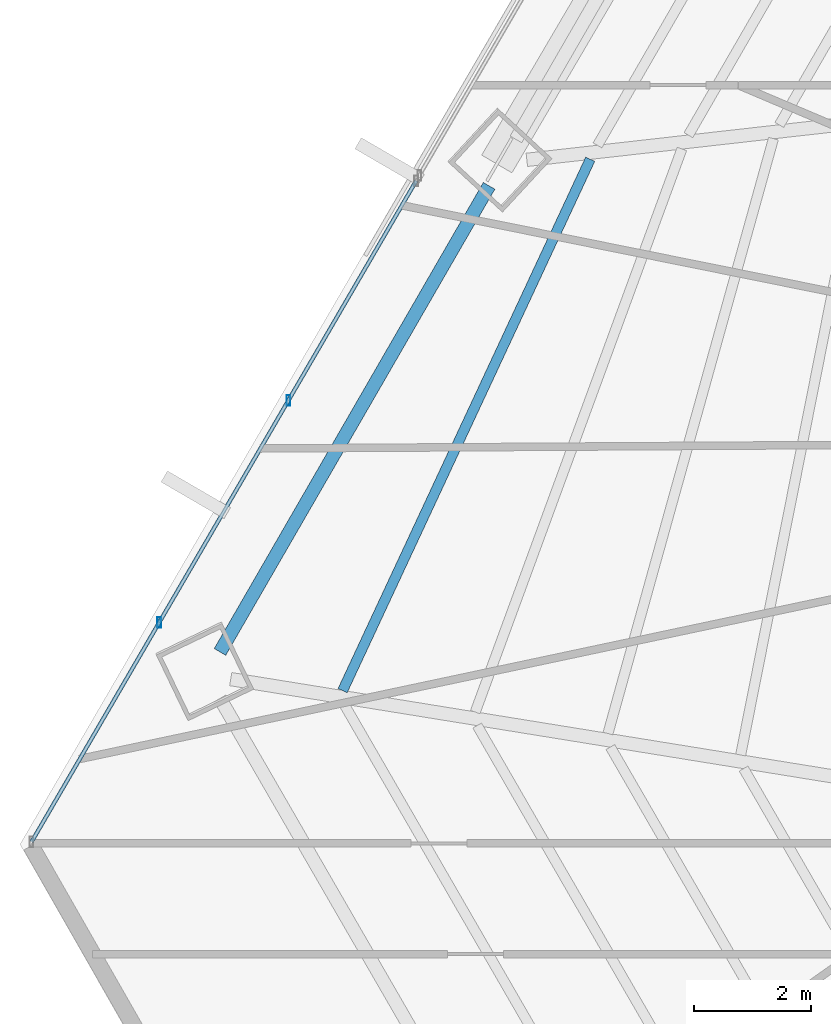
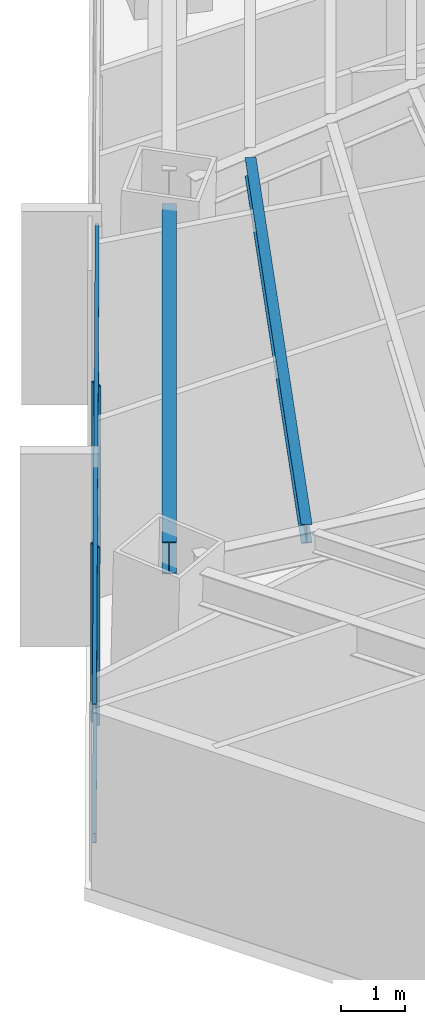
# One storey, part 11 of 38: 4 members, 2 beams, 1 element without a shape of its own.
"""IFC4 building model written with IfcOpenShell, lengths in metres."""

from ifc_helpers import new_model, si_unit, direction, frame, origin, origin_2d, place, context, subcontext, project, spatial, hollow_rectangle, i_section, extrude, source, transform, mapped, material, material_profile, profile_set, type_object, type_shapes, element, aggregate, save


model = new_model("IFC4")

# Units and contexts
model_context = context("Model", 3, precision=1e-05, world=origin(), true_north=direction((0.0, 1.0)))
body_context = subcontext(model_context, "Body", "Model", "MODEL_VIEW")
ifc_project = project(units=[si_unit("LENGTHUNIT", "METRE"), si_unit("AREAUNIT", "SQUARE_METRE"), si_unit("VOLUMEUNIT", "CUBIC_METRE"), si_unit("PLANEANGLEUNIT", "RADIAN"), si_unit("MASSUNIT", "GRAM", prefix="KILO")], contexts=[model_context])

# Site, building, storey
site_placement = place(None, origin())
site = spatial("IfcSite", under=ifc_project, at=site_placement, CompositionType="ELEMENT")
building_placement = place(site_placement, origin())
building = spatial("IfcBuilding", under=site, at=building_placement, Name="Caelisora Broadcast Tower", CompositionType="ELEMENT")
storey_placement = place(building_placement, frame((0.0, 0.0, 67.75)))
storey = spatial("IfcBuildingStorey", under=building, at=storey_placement, Name="L17", CompositionType="ELEMENT", Elevation=67.75)

# Beams
ifc_material_1 = material(Name="Steel Grade 350 (AS/NZS 3679.1)", Category="steel")
ifc_material_profile_1 = material_profile(ifc_material_1, i_section(OverallWidth=0.22900390625, OverallDepth=0.611572265625, WebThickness=0.011962890625, FlangeThickness=0.01953125, at=origin_2d()), Name="Steel Grade 350 (AS/NZS 3679.1)")
ifc_profile_set_1 = profile_set([ifc_material_profile_1], Name="Steel Grade 350 (AS/NZS 3679.1)")
beam_type_1 = type_object("IfcBeamType", Name="PG03", PredefinedType="BEAM", material=ifc_profile_set_1)
shared_shape_1 = source(origin(), body_context, "Body", "SweptSolid", [
    extrude(i_section(OverallWidth=0.22900390625, OverallDepth=0.611572265625, WebThickness=0.011962890625, FlangeThickness=0.01953125, at=origin_2d()), origin(), (0.0, 0.0, 1.0), 9.22802734375),
])
type_shapes(beam_type_1, [shared_shape_1])
beam_1_placement = place(storey_placement, frame((19.356689453125, 28.37353515625, 3.09423828125), z_axis=(-0.500020165129, -0.866013761129, 0.0), x_axis=(0.866013761129, -0.500020165129, 0.0)))
element("IfcBeam", 1, at=beam_1_placement, inside=storey, type_object=beam_type_1, Name="L17 beam PG03", PredefinedType="BEAM", context=body_context, shape_type="MappedRepresentation", body=[
    mapped(shared_shape_1, transform((0.0, 0.0, 0.0), scale=1.0)),
])
ifc_material_profile_2 = material_profile(ifc_material_1, i_section(OverallWidth=0.172119140625, OverallDepth=0.358642578125, WebThickness=0.008056640625, FlangeThickness=0.012939453125, at=origin_2d()), Name="Steel Grade 350 (AS/NZS 3679.1)")
ifc_profile_set_2 = profile_set([ifc_material_profile_2], Name="Steel Grade 350 (AS/NZS 3679.1)")
beam_type_2 = type_object("IfcBeamType", Name="SB02", PredefinedType="JOIST", material=ifc_profile_set_2)
shared_shape_2 = source(origin(), body_context, "Body", "SweptSolid", [
    extrude(i_section(OverallWidth=0.172119140625, OverallDepth=0.358642578125, WebThickness=0.008056640625, FlangeThickness=0.012939453125, at=origin_2d()), origin(), (0.0, 0.0, 1.0), 10.05078125),
])
type_shapes(beam_type_2, [shared_shape_2])
beam_2_placement = place(storey_placement, frame((21.090576171875, 28.8291015625, 3.220703125), z_axis=(-0.422393380549, -0.906412616896, 0.0), x_axis=(0.906412616896, -0.422393380549, 0.0)))
element("IfcBeam", 2, at=beam_2_placement, inside=storey, type_object=beam_type_2, Name="L17 beam SB02", PredefinedType="JOIST", context=body_context, shape_type="MappedRepresentation", body=[
    mapped(shared_shape_2, transform((0.0, 0.0, 0.0), scale=1.0)),
])

# Curtain wall, members
ifc_material_2 = material(Name="Unitised Aluminium and Low-E Glass Curtain Wall", Category="glass")
curtain_wall_type = type_object("IfcCurtainWallType", Name="CW-Z1", PredefinedType="NOTDEFINED", material=ifc_material_2)
curtain_wall_placement = place(storey_placement, origin())
curtain_wall = element("IfcCurtainWall", 3, at=curtain_wall_placement, inside=storey, type_object=curtain_wall_type, Name="L17 curtain wall CW-Z1", PredefinedType="NOTDEFINED")
ifc_material_3 = material(Name="Aluminium 6063-T6 Anodised Terracotta Bronze", Category="aluminium")
ifc_material_profile_3 = material_profile(ifc_material_3, hollow_rectangle(XDim=0.06494140625, YDim=0.179931640625, WallThickness=0.00341796875, at=origin_2d()), Name="Aluminium 6063-T6 Anodised Terracotta Bronze")
ifc_profile_set_3 = profile_set([ifc_material_profile_3], Name="Aluminium 6063-T6 Anodised Terracotta Bronze")
member_type_1 = type_object("IfcMemberType", Name="CWM-02", PredefinedType="MULLION", material=ifc_profile_set_3)
shared_shape_3 = source(origin(), body_context, "Body", "SweptSolid", [
    extrude(hollow_rectangle(XDim=0.06494140625, YDim=0.179931640625, WallThickness=0.00341796875, at=origin_2d()), origin(), (0.0, 0.0, 1.0), 3.39990234375),
])
type_shapes(member_type_1, [shared_shape_3])
member_1_placement = place(storey_placement, frame((13.701904296875, 20.888916015625, 0.0), z_axis=(0.0, 0.0, 1.0), x_axis=(1.0, 0.0, 0.0)))
member_1 = element("IfcMember", 4, at=member_1_placement, type_object=member_type_1, Name="L17-CW-B09 mullion #1", PredefinedType="MULLION", context=body_context, shape_type="MappedRepresentation", body=[
    mapped(shared_shape_3, transform((0.0, 0.0, 0.0), scale=1.0)),
])
member_2_placement = place(storey_placement, frame((15.9169921875, 24.696044921875, 0.0), z_axis=(0.0, 0.0, 1.0), x_axis=(1.0, 0.0, 0.0)))
member_2 = element("IfcMember", 5, at=member_2_placement, type_object=member_type_1, Name="L17-CW-B09 mullion #2", PredefinedType="MULLION", context=body_context, shape_type="MappedRepresentation", body=[
    mapped(shared_shape_3, transform((0.0, 0.0, 0.0), scale=1.0)),
])
ifc_material_profile_4 = material_profile(ifc_material_3, hollow_rectangle(XDim=0.06494140625, YDim=0.179931640625, WallThickness=0.00341796875, at=origin_2d()), Name="Aluminium 6063-T6 Anodised Terracotta Bronze")
ifc_profile_set_4 = profile_set([ifc_material_profile_4], Name="Aluminium 6063-T6 Anodised Terracotta Bronze")
member_type_2 = type_object("IfcMemberType", Name="CWT-01", PredefinedType="USERDEFINED", material=ifc_profile_set_4)
shared_shape_4 = source(origin(), body_context, "Body", "SweptSolid", [
    extrude(hollow_rectangle(XDim=0.06494140625, YDim=0.179931640625, WallThickness=0.00341796875, at=origin_2d()), origin(), (0.0, 0.0, 1.0), 13.113525390625),
])
type_shapes(member_type_2, [shared_shape_4])
member_3_placement = place(storey_placement, frame((11.51220703125, 17.125244140625, 0.85009765625), z_axis=(0.502892566739, 0.864348926255, 0.0), x_axis=(-0.864348926255, 0.502892566739, 0.0)))
member_3 = element("IfcMember", 6, at=member_3_placement, type_object=member_type_2, Name="L17-CW-B09 transom #1", ObjectType="TRANSOM", PredefinedType="USERDEFINED", context=body_context, shape_type="MappedRepresentation", body=[
    mapped(shared_shape_4, transform((0.0, 0.0, 0.0), scale=1.0)),
])
member_4_placement = place(storey_placement, frame((11.51220703125, 17.125244140625, 3.320068359375), z_axis=(0.502892566739, 0.864348926255, 0.0), x_axis=(-0.864348926255, 0.502892566739, 0.0)))
member_4 = element("IfcMember", 7, at=member_4_placement, type_object=member_type_2, Name="L17-CW-B09 transom #2", ObjectType="TRANSOM", PredefinedType="USERDEFINED", context=body_context, shape_type="MappedRepresentation", body=[
    mapped(shared_shape_4, transform((0.0, 0.0, 0.0), scale=1.0)),
])
aggregate(curtain_wall, [member_1, member_2, member_3, member_4])

save(model, "model.ifc")
